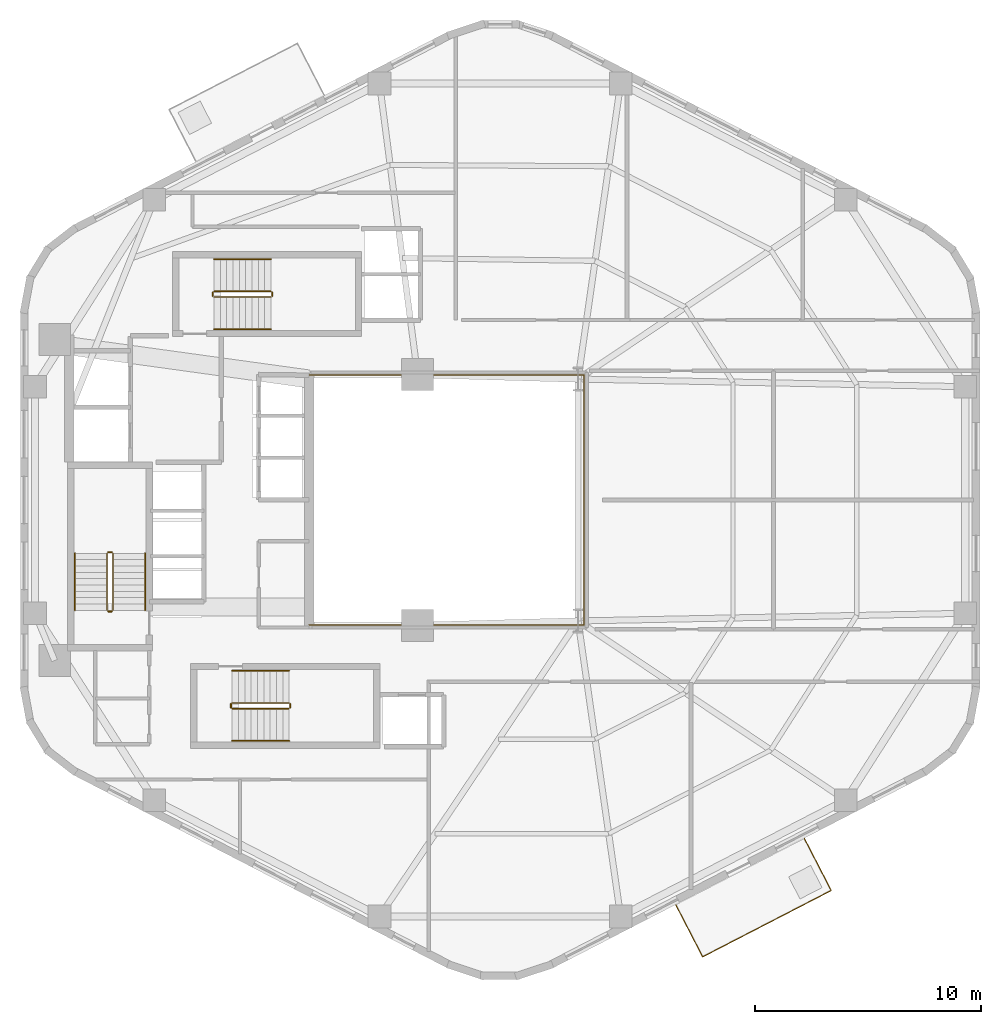
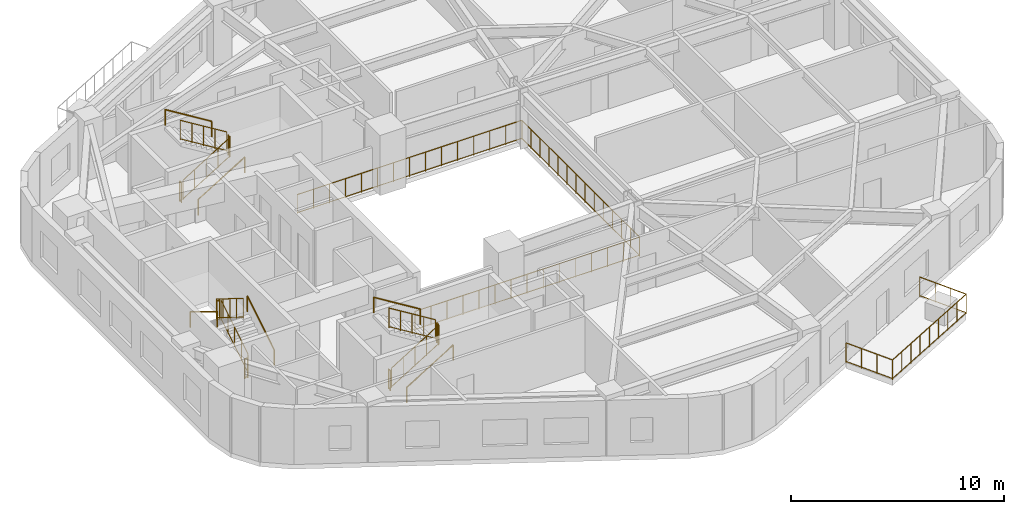
# One storey, part 7 of 8: 20 railings.
"""IFC4 building model written with IfcOpenShell, lengths in metres."""

from ifc_helpers import new_model, si_unit, direction, frame, origin, origin_2d, place, context, subcontext, project, spatial, circle, extrude, material, type_object, element, save


model = new_model("IFC4")

# Units and contexts
model_context = context("Model", 3, precision=1e-05, world=origin(), true_north=direction((0.0, 1.0)))
body_context = subcontext(model_context, "Body", "Model", "MODEL_VIEW")
ifc_project = project(units=[si_unit("LENGTHUNIT", "METRE"), si_unit("AREAUNIT", "SQUARE_METRE"), si_unit("VOLUMEUNIT", "CUBIC_METRE"), si_unit("PLANEANGLEUNIT", "RADIAN"), si_unit("MASSUNIT", "GRAM", prefix="KILO"), si_unit("THERMODYNAMICTEMPERATUREUNIT", "KELVIN"), si_unit("POWERUNIT", "WATT")], contexts=[model_context])

# Site, building, storey
site_placement = place(None, origin())
site = spatial("IfcSite", under=ifc_project, at=site_placement, CompositionType="ELEMENT")
building_placement = place(site_placement, origin())
building = spatial("IfcBuilding", under=site, at=building_placement, Name="Skarre Station Tower", CompositionType="ELEMENT")
storey_placement = place(building_placement, frame((0.0, 0.0, 153.300048828125)))
storey = spatial("IfcBuildingStorey", under=building, at=storey_placement, Name="L41", CompositionType="ELEMENT", Elevation=153.300048828125)

# Railings
ifc_material_1 = material(Name="Bronze Anodized Steel & Laminated Glass Balustrade", Category="steel")
railing_type_1 = type_object("IfcRailingType", Name="Atrium Void & Mezzanine Guard Balustrade 1120", PredefinedType="GUARDRAIL", material=ifc_material_1)
railing_1_placement = place(storey_placement, frame((27.550048828125, 18.47998046875, 0.0)))
element("IfcRailing", 1, at=railing_1_placement, inside=storey, type_object=railing_type_1, Name="L41 Atrium Void Guard Balustrade", PredefinedType="GUARDRAIL", context=body_context, shape_type="SweptSolid", body=[
    extrude(circle(Radius=0.02392578125, at=origin_2d()), frame((0.0, 0.0, 1.09619140625), z_axis=(1.0, 0.0, 0.0), x_axis=(0.0, 1.0, 0.0)), (0.0, 0.0, 1.0), 12.169921875),
    extrude(circle(Radius=0.02099609375, at=origin_2d()), frame((0.0, 0.0, 0.06005859375), z_axis=(1.0, 0.0, 0.0), x_axis=(0.0, 1.0, 0.0)), (0.0, 0.0, 1.0), 12.169921875),
    extrude(circle(Radius=0.02392578125, at=origin_2d()), frame((12.169921875, 0.0, 1.09619140625), z_axis=(0.0, 1.0, 0.0), x_axis=(-1.0, 0.0, 0.0)), (0.0, 0.0, 1.0), 11.0400390625),
    extrude(circle(Radius=0.02099609375, at=origin_2d()), frame((12.169921875, 0.0, 0.06005859375), z_axis=(0.0, 1.0, 0.0), x_axis=(-1.0, 0.0, 0.0)), (0.0, 0.0, 1.0), 11.0400390625),
    extrude(circle(Radius=0.02392578125, at=origin_2d()), frame((12.169921875, 11.0400390625, 1.09619140625), z_axis=(-1.0, 0.0, 0.0), x_axis=(0.0, -1.0, 0.0)), (0.0, 0.0, 1.0), 12.169921875),
    extrude(circle(Radius=0.02099609375, at=origin_2d()), frame((12.169921875, 11.0400390625, 0.06005859375), z_axis=(-1.0, 0.0, 0.0), x_axis=(0.0, -1.0, 0.0)), (0.0, 0.0, 1.0), 12.169921875),
    extrude(circle(Radius=0.02099609375, at=origin_2d()), origin(), (0.0, 0.0, 1.0), 1.072021484375),
    extrude(circle(Radius=0.02099609375, at=origin_2d()), frame((0.869384765625, 0.0, 0.0)), (0.0, 0.0, 1.0), 1.072021484375),
    extrude(circle(Radius=0.02099609375, at=origin_2d()), frame((1.738525390625, 0.0, 0.0)), (0.0, 0.0, 1.0), 1.072021484375),
    extrude(circle(Radius=0.02099609375, at=origin_2d()), frame((2.60791015625, 0.0, 0.0)), (0.0, 0.0, 1.0), 1.072021484375),
    extrude(circle(Radius=0.02099609375, at=origin_2d()), frame((3.47705078125, 0.0, 0.0)), (0.0, 0.0, 1.0), 1.072021484375),
    extrude(circle(Radius=0.02099609375, at=origin_2d()), frame((4.346435546875, 0.0, 0.0)), (0.0, 0.0, 1.0), 1.072021484375),
    extrude(circle(Radius=0.02099609375, at=origin_2d()), frame((5.215576171875, 0.0, 0.0)), (0.0, 0.0, 1.0), 1.072021484375),
    extrude(circle(Radius=0.02099609375, at=origin_2d()), frame((6.0849609375, 0.0, 0.0)), (0.0, 0.0, 1.0), 1.072021484375),
    extrude(circle(Radius=0.02099609375, at=origin_2d()), frame((6.954345703125, 0.0, 0.0)), (0.0, 0.0, 1.0), 1.072021484375),
    extrude(circle(Radius=0.02099609375, at=origin_2d()), frame((7.823486328125, 0.0, 0.0)), (0.0, 0.0, 1.0), 1.072021484375),
    extrude(circle(Radius=0.02099609375, at=origin_2d()), frame((8.69287109375, 0.0, 0.0)), (0.0, 0.0, 1.0), 1.072021484375),
    extrude(circle(Radius=0.02099609375, at=origin_2d()), frame((9.56201171875, 0.0, 0.0)), (0.0, 0.0, 1.0), 1.072021484375),
    extrude(circle(Radius=0.02099609375, at=origin_2d()), frame((10.431396484375, 0.0, 0.0)), (0.0, 0.0, 1.0), 1.072021484375),
    extrude(circle(Radius=0.02099609375, at=origin_2d()), frame((11.300537109375, 0.0, 0.0)), (0.0, 0.0, 1.0), 1.072021484375),
    extrude(circle(Radius=0.02099609375, at=origin_2d()), frame((12.169921875, 0.0, 0.0)), (0.0, 0.0, 1.0), 1.072021484375),
    extrude(circle(Radius=0.02099609375, at=origin_2d()), frame((12.169921875, 0.84912109375, 0.0)), (0.0, 0.0, 1.0), 1.072021484375),
    extrude(circle(Radius=0.02099609375, at=origin_2d()), frame((12.169921875, 1.698486328125, 0.0)), (0.0, 0.0, 1.0), 1.072021484375),
    extrude(circle(Radius=0.02099609375, at=origin_2d()), frame((12.169921875, 2.547607421875, 0.0)), (0.0, 0.0, 1.0), 1.072021484375),
    extrude(circle(Radius=0.02099609375, at=origin_2d()), frame((12.169921875, 3.39697265625, 0.0)), (0.0, 0.0, 1.0), 1.072021484375),
    extrude(circle(Radius=0.02099609375, at=origin_2d()), frame((12.169921875, 4.24609375, 0.0)), (0.0, 0.0, 1.0), 1.072021484375),
    extrude(circle(Radius=0.02099609375, at=origin_2d()), frame((12.169921875, 5.095458984375, 0.0)), (0.0, 0.0, 1.0), 1.072021484375),
    extrude(circle(Radius=0.02099609375, at=origin_2d()), frame((12.169921875, 5.944580078125, 0.0)), (0.0, 0.0, 1.0), 1.072021484375),
    extrude(circle(Radius=0.02099609375, at=origin_2d()), frame((12.169921875, 6.7939453125, 0.0)), (0.0, 0.0, 1.0), 1.072021484375),
    extrude(circle(Radius=0.02099609375, at=origin_2d()), frame((12.169921875, 7.64306640625, 0.0)), (0.0, 0.0, 1.0), 1.072021484375),
    extrude(circle(Radius=0.02099609375, at=origin_2d()), frame((12.169921875, 8.492431640625, 0.0)), (0.0, 0.0, 1.0), 1.072021484375),
    extrude(circle(Radius=0.02099609375, at=origin_2d()), frame((12.169921875, 9.341552734375, 0.0)), (0.0, 0.0, 1.0), 1.072021484375),
    extrude(circle(Radius=0.02099609375, at=origin_2d()), frame((12.169921875, 10.19091796875, 0.0)), (0.0, 0.0, 1.0), 1.072021484375),
    extrude(circle(Radius=0.02099609375, at=origin_2d()), frame((12.169921875, 11.0400390625, 0.0)), (0.0, 0.0, 1.0), 1.072021484375),
    extrude(circle(Radius=0.02099609375, at=origin_2d()), frame((11.300537109375, 11.0400390625, 0.0)), (0.0, 0.0, 1.0), 1.072021484375),
    extrude(circle(Radius=0.02099609375, at=origin_2d()), frame((10.431396484375, 11.0400390625, 0.0)), (0.0, 0.0, 1.0), 1.072021484375),
    extrude(circle(Radius=0.02099609375, at=origin_2d()), frame((9.56201171875, 11.0400390625, 0.0)), (0.0, 0.0, 1.0), 1.072021484375),
    extrude(circle(Radius=0.02099609375, at=origin_2d()), frame((8.69287109375, 11.0400390625, 0.0)), (0.0, 0.0, 1.0), 1.072021484375),
    extrude(circle(Radius=0.02099609375, at=origin_2d()), frame((7.823486328125, 11.0400390625, 0.0)), (0.0, 0.0, 1.0), 1.072021484375),
    extrude(circle(Radius=0.02099609375, at=origin_2d()), frame((6.954345703125, 11.0400390625, 0.0)), (0.0, 0.0, 1.0), 1.072021484375),
    extrude(circle(Radius=0.02099609375, at=origin_2d()), frame((6.0849609375, 11.0400390625, 0.0)), (0.0, 0.0, 1.0), 1.072021484375),
    extrude(circle(Radius=0.02099609375, at=origin_2d()), frame((5.215576171875, 11.0400390625, 0.0)), (0.0, 0.0, 1.0), 1.072021484375),
    extrude(circle(Radius=0.02099609375, at=origin_2d()), frame((4.346435546875, 11.0400390625, 0.0)), (0.0, 0.0, 1.0), 1.072021484375),
    extrude(circle(Radius=0.02099609375, at=origin_2d()), frame((3.47705078125, 11.0400390625, 0.0)), (0.0, 0.0, 1.0), 1.072021484375),
    extrude(circle(Radius=0.02099609375, at=origin_2d()), frame((2.60791015625, 11.0400390625, 0.0)), (0.0, 0.0, 1.0), 1.072021484375),
    extrude(circle(Radius=0.02099609375, at=origin_2d()), frame((1.738525390625, 11.0400390625, 0.0)), (0.0, 0.0, 1.0), 1.072021484375),
    extrude(circle(Radius=0.02099609375, at=origin_2d()), frame((0.869384765625, 11.0400390625, 0.0)), (0.0, 0.0, 1.0), 1.072021484375),
    extrude(circle(Radius=0.02099609375, at=origin_2d()), frame((0.0, 11.0400390625, 0.0)), (0.0, 0.0, 1.0), 1.072021484375),
])
ifc_material_2 = material(Name="Stainless Steel Grade 316L & Laminated Safety Glass", Category="steel")
railing_type_2 = type_object("IfcRailingType", Name="Laminated Glass & Stainless Terrace Guardrail 1150", PredefinedType="BALUSTRADE", material=ifc_material_2)
railing_2_placement = place(storey_placement, frame((43.77001953125, 6.097900390625, 0.0)))
element("IfcRailing", 2, at=railing_2_placement, inside=storey, type_object=railing_type_2, Name="L41 TB-L41-F4 Tree-Balcony Guardrail", PredefinedType="BALUSTRADE", context=body_context, shape_type="SweptSolid", body=[
    extrude(circle(Radius=0.02392578125, at=origin_2d()), frame((0.0, 0.0, 1.1259765625), z_axis=(0.458791817331, -0.888543790902, 0.0), x_axis=(0.888543790902, 0.458791817331, 0.0)), (0.0, 0.0, 1.0), 2.58935546875),
    extrude(circle(Radius=0.02099609375, at=origin_2d()), frame((0.0, 0.0, 0.06005859375), z_axis=(0.458791817331, -0.888543790902, 0.0), x_axis=(0.888543790902, 0.458791817331, 0.0)), (0.0, 0.0, 1.0), 2.58935546875),
    extrude(circle(Radius=0.02392578125, at=origin_2d()), frame((1.18798828125, -2.30078125, 1.1259765625), z_axis=(0.888647237743, 0.458591416026, 0.0), x_axis=(-0.458591416026, 0.888647237743, 0.0)), (0.0, 0.0, 1.0), 6.399658203125),
    extrude(circle(Radius=0.02099609375, at=origin_2d()), frame((1.18798828125, -2.30078125, 0.06005859375), z_axis=(0.888647237743, 0.458591416026, 0.0), x_axis=(-0.458591416026, 0.888647237743, 0.0)), (0.0, 0.0, 1.0), 6.399658203125),
    extrude(circle(Radius=0.02392578125, at=origin_2d()), frame((6.875, 0.634033203125, 1.1259765625), z_axis=(-0.458599707136, 0.888642959019, 0.0), x_axis=(-0.888642959019, -0.458599707136, 0.0)), (0.0, 0.0, 1.0), 2.590576171875),
    extrude(circle(Radius=0.02099609375, at=origin_2d()), frame((6.875, 0.634033203125, 0.06005859375), z_axis=(-0.458599707136, 0.888642959019, 0.0), x_axis=(-0.888642959019, -0.458599707136, 0.0)), (0.0, 0.0, 1.0), 2.590576171875),
    extrude(circle(Radius=0.02099609375, at=origin_2d()), origin(), (0.0, 0.0, 1.0), 1.101806640625),
    extrude(circle(Radius=0.02099609375, at=origin_2d()), frame((0.39599609375, -0.766845703125, 0.0)), (0.0, 0.0, 1.0), 1.101806640625),
    extrude(circle(Radius=0.02099609375, at=origin_2d()), frame((0.7919921875, -1.533935546875, 0.0)), (0.0, 0.0, 1.0), 1.101806640625),
    extrude(circle(Radius=0.02099609375, at=origin_2d()), frame((1.18798828125, -2.30078125, 0.0)), (0.0, 0.0, 1.0), 1.101806640625),
    extrude(circle(Radius=0.02099609375, at=origin_2d()), frame((1.89892578125, -1.933837890625, 0.0)), (0.0, 0.0, 1.0), 1.101806640625),
    extrude(circle(Radius=0.02099609375, at=origin_2d()), frame((2.60986328125, -1.567138671875, 0.0)), (0.0, 0.0, 1.0), 1.101806640625),
    extrude(circle(Radius=0.02099609375, at=origin_2d()), frame((3.320556640625, -1.2001953125, 0.0)), (0.0, 0.0, 1.0), 1.101806640625),
    extrude(circle(Radius=0.02099609375, at=origin_2d()), frame((4.031494140625, -0.83349609375, 0.0)), (0.0, 0.0, 1.0), 1.101806640625),
    extrude(circle(Radius=0.02099609375, at=origin_2d()), frame((4.742431640625, -0.466552734375, 0.0)), (0.0, 0.0, 1.0), 1.101806640625),
    extrude(circle(Radius=0.02099609375, at=origin_2d()), frame((5.453125, -0.099609375, 0.0)), (0.0, 0.0, 1.0), 1.101806640625),
    extrude(circle(Radius=0.02099609375, at=origin_2d()), frame((6.1640625, 0.26708984375, 0.0)), (0.0, 0.0, 1.0), 1.101806640625),
    extrude(circle(Radius=0.02099609375, at=origin_2d()), frame((6.875, 0.634033203125, 0.0)), (0.0, 0.0, 1.0), 1.101806640625),
    extrude(circle(Radius=0.02099609375, at=origin_2d()), frame((6.47900390625, 1.4013671875, 0.0)), (0.0, 0.0, 1.0), 1.101806640625),
    extrude(circle(Radius=0.02099609375, at=origin_2d()), frame((6.0830078125, 2.168701171875, 0.0)), (0.0, 0.0, 1.0), 1.101806640625),
    extrude(circle(Radius=0.02099609375, at=origin_2d()), frame((5.68701171875, 2.93603515625, 0.0)), (0.0, 0.0, 1.0), 1.101806640625),
])
ifc_material_3 = material(Name="Powder-Coated Tubular Steel", Category="steel")
railing_type_3 = type_object("IfcRailingType", Name="Painted Steel Ramp & Stair Handrail 920", PredefinedType="HANDRAIL", material=ifc_material_3)
railing_3_placement = place(storey_placement, frame((20.300048828125, 19.1201171875, 0.17236328125)))
element("IfcRailing", 3, at=railing_3_placement, inside=storey, type_object=railing_type_3, Name="L41 ST-1 stair handrail 1", PredefinedType="HANDRAIL", context=body_context, shape_type="SweptSolid", body=[
    extrude(circle(Radius=0.02392578125, at=origin_2d()), frame((0.0, 0.0, 0.8759765625), z_axis=(0.0, 0.851377800117, 0.52455299205), x_axis=(-1.0, 0.0, 0.0)), (0.0, 0.0, 1.0), 2.959716796875),
    extrude(circle(Radius=0.02099609375, at=origin_2d()), origin(), (0.0, 0.0, 1.0), 0.851806640625),
    extrude(circle(Radius=0.02099609375, at=origin_2d()), frame((0.0, 2.519775390625, 1.552490234375)), (0.0, 0.0, 1.0), 0.851806640625),
])
railing_4_placement = place(storey_placement, frame((17.199951171875, 21.639892578125, 1.8974609375)))
element("IfcRailing", 4, at=railing_4_placement, inside=storey, type_object=railing_type_3, Name="L41 ST-1 stair handrail 2", PredefinedType="HANDRAIL", context=body_context, shape_type="SweptSolid", body=[
    extrude(circle(Radius=0.02392578125, at=origin_2d()), frame((0.0, 0.0, 0.8759765625), z_axis=(0.0, -0.851377800117, 0.52455299205), x_axis=(1.0, 0.0, 0.0)), (0.0, 0.0, 1.0), 2.959716796875),
    extrude(circle(Radius=0.02099609375, at=origin_2d()), origin(), (0.0, 0.0, 1.0), 0.851806640625),
    extrude(circle(Radius=0.02099609375, at=origin_2d()), frame((0.0, -2.519775390625, 1.552490234375)), (0.0, 0.0, 1.0), 0.851806640625),
])
railing_5_placement = place(storey_placement, frame((24.14990234375, 13.35009765625, 0.17236328125)))
element("IfcRailing", 5, at=railing_5_placement, inside=storey, type_object=railing_type_3, Name="L41 ST-2 stair handrail 1", PredefinedType="HANDRAIL", context=body_context, shape_type="SweptSolid", body=[
    extrude(circle(Radius=0.02392578125, at=origin_2d()), frame((0.0, 0.0, 0.8759765625), z_axis=(0.851400495292, 0.0, 0.524516154772), x_axis=(0.0, 1.0, 0.0)), (0.0, 0.0, 1.0), 2.9599609375),
    extrude(circle(Radius=0.02099609375, at=origin_2d()), origin(), (0.0, 0.0, 1.0), 0.851806640625),
    extrude(circle(Radius=0.02099609375, at=origin_2d()), frame((2.52001953125, 0.0, 1.552490234375)), (0.0, 0.0, 1.0), 0.851806640625),
])
railing_6_placement = place(storey_placement, frame((26.669921875, 16.449951171875, 1.8974609375)))
element("IfcRailing", 6, at=railing_6_placement, inside=storey, type_object=railing_type_3, Name="L41 ST-2 stair handrail 2", PredefinedType="HANDRAIL", context=body_context, shape_type="SweptSolid", body=[
    extrude(circle(Radius=0.02392578125, at=origin_2d()), frame((0.0, 0.0, 0.8759765625), z_axis=(-0.851400495292, 0.0, 0.524516154772), x_axis=(0.0, -1.0, 0.0)), (0.0, 0.0, 1.0), 2.9599609375),
    extrude(circle(Radius=0.02099609375, at=origin_2d()), origin(), (0.0, 0.0, 1.0), 0.851806640625),
    extrude(circle(Radius=0.02099609375, at=origin_2d()), frame((-2.52001953125, 0.0, 1.552490234375)), (0.0, 0.0, 1.0), 0.851806640625),
])
railing_7_placement = place(storey_placement, frame((23.35009765625, 31.550048828125, 0.17236328125)))
element("IfcRailing", 7, at=railing_7_placement, inside=storey, type_object=railing_type_3, Name="L41 ST-3 stair handrail 1", PredefinedType="HANDRAIL", context=body_context, shape_type="SweptSolid", body=[
    extrude(circle(Radius=0.02392578125, at=origin_2d()), frame((0.0, 0.0, 0.8759765625), z_axis=(0.851400495292, 0.0, 0.524516154772), x_axis=(0.0, 1.0, 0.0)), (0.0, 0.0, 1.0), 2.9599609375),
    extrude(circle(Radius=0.02099609375, at=origin_2d()), origin(), (0.0, 0.0, 1.0), 0.851806640625),
    extrude(circle(Radius=0.02099609375, at=origin_2d()), frame((2.52001953125, 0.0, 1.552490234375)), (0.0, 0.0, 1.0), 0.851806640625),
])
railing_8_placement = place(storey_placement, frame((25.8701171875, 34.64990234375, 1.8974609375)))
element("IfcRailing", 8, at=railing_8_placement, inside=storey, type_object=railing_type_3, Name="L41 ST-3 stair handrail 2", PredefinedType="HANDRAIL", context=body_context, shape_type="SweptSolid", body=[
    extrude(circle(Radius=0.02392578125, at=origin_2d()), frame((0.0, 0.0, 0.8759765625), z_axis=(-0.851400495292, 0.0, 0.524516154772), x_axis=(0.0, -1.0, 0.0)), (0.0, 0.0, 1.0), 2.9599609375),
    extrude(circle(Radius=0.02099609375, at=origin_2d()), origin(), (0.0, 0.0, 1.0), 0.851806640625),
    extrude(circle(Radius=0.02099609375, at=origin_2d()), frame((-2.52001953125, 0.0, 1.552490234375)), (0.0, 0.0, 1.0), 0.851806640625),
])
railing_type_4 = type_object("IfcRailingType", Name="Painted Steel Stairwell Guardrail 1100", PredefinedType="GUARDRAIL", material=ifc_material_3)
railing_9_placement = place(storey_placement, frame((18.8798828125, 19.1201171875, 0.17236328125)))
element("IfcRailing", 9, at=railing_9_placement, inside=storey, type_object=railing_type_4, Name="L41 ST-1 stair guard 1", PredefinedType="GUARDRAIL", context=body_context, shape_type="SweptSolid", body=[
    extrude(circle(Radius=0.02392578125, at=origin_2d()), frame((0.0, 0.0, 1.1259765625), z_axis=(0.0, 0.851377800117, 0.52455299205), x_axis=(-1.0, 0.0, 0.0)), (0.0, 0.0, 1.0), 2.959716796875),
    extrude(circle(Radius=0.02099609375, at=origin_2d()), frame((0.0, 0.0, 0.06005859375), z_axis=(0.0, 0.851377800117, 0.52455299205), x_axis=(-1.0, 0.0, 0.0)), (0.0, 0.0, 1.0), 2.959716796875),
    extrude(circle(Radius=0.02099609375, at=origin_2d()), origin(), (0.0, 0.0, 1.0), 1.101806640625),
    extrude(circle(Radius=0.02099609375, at=origin_2d()), frame((0.0, 0.6298828125, 0.38818359375)), (0.0, 0.0, 1.0), 1.101806640625),
    extrude(circle(Radius=0.02099609375, at=origin_2d()), frame((0.0, 1.259765625, 0.7763671875)), (0.0, 0.0, 1.0), 1.101806640625),
    extrude(circle(Radius=0.02099609375, at=origin_2d()), frame((0.0, 1.889892578125, 1.164306640625)), (0.0, 0.0, 1.0), 1.101806640625),
    extrude(circle(Radius=0.02099609375, at=origin_2d()), frame((0.0, 2.519775390625, 1.552490234375)), (0.0, 0.0, 1.0), 1.101806640625),
])
railing_10_placement = place(storey_placement, frame((18.830078125, 21.68994140625, 1.724853515625)))
element("IfcRailing", 10, at=railing_10_placement, inside=storey, type_object=railing_type_4, Name="L41 ST-1 stair guard 2", PredefinedType="GUARDRAIL", context=body_context, shape_type="SweptSolid", body=[
    extrude(circle(Radius=0.02392578125, at=origin_2d()), frame((0.0, 0.0, 1.1259765625), z_axis=(-1.0, 0.0, 0.0), x_axis=(0.0, -1.0, 0.0)), (0.0, 0.0, 1.0), 0.16015625),
    extrude(circle(Radius=0.02099609375, at=origin_2d()), frame((0.0, 0.0, 0.06005859375), z_axis=(-1.0, 0.0, 0.0), x_axis=(0.0, -1.0, 0.0)), (0.0, 0.0, 1.0), 0.16015625),
    extrude(circle(Radius=0.02099609375, at=origin_2d()), origin(), (0.0, 0.0, 1.0), 1.101806640625),
    extrude(circle(Radius=0.02099609375, at=origin_2d()), frame((-0.16015625, 0.0, 0.0)), (0.0, 0.0, 1.0), 1.101806640625),
])
railing_11_placement = place(storey_placement, frame((18.6201171875, 21.639892578125, 1.8974609375)))
element("IfcRailing", 11, at=railing_11_placement, inside=storey, type_object=railing_type_4, Name="L41 ST-1 stair guard 3", PredefinedType="GUARDRAIL", context=body_context, shape_type="SweptSolid", body=[
    extrude(circle(Radius=0.02392578125, at=origin_2d()), frame((0.0, 0.0, 1.1259765625), z_axis=(0.0, -0.851377800117, 0.52455299205), x_axis=(1.0, 0.0, 0.0)), (0.0, 0.0, 1.0), 2.959716796875),
    extrude(circle(Radius=0.02099609375, at=origin_2d()), frame((0.0, 0.0, 0.06005859375), z_axis=(0.0, -0.851377800117, 0.52455299205), x_axis=(1.0, 0.0, 0.0)), (0.0, 0.0, 1.0), 2.959716796875),
    extrude(circle(Radius=0.02099609375, at=origin_2d()), origin(), (0.0, 0.0, 1.0), 1.101806640625),
    extrude(circle(Radius=0.02099609375, at=origin_2d()), frame((0.0, -0.6298828125, 0.38818359375)), (0.0, 0.0, 1.0), 1.101806640625),
    extrude(circle(Radius=0.02099609375, at=origin_2d()), frame((0.0, -1.259765625, 0.7763671875)), (0.0, 0.0, 1.0), 1.101806640625),
    extrude(circle(Radius=0.02099609375, at=origin_2d()), frame((0.0, -1.889892578125, 1.164306640625)), (0.0, 0.0, 1.0), 1.101806640625),
    extrude(circle(Radius=0.02099609375, at=origin_2d()), frame((0.0, -2.519775390625, 1.552490234375)), (0.0, 0.0, 1.0), 1.101806640625),
])
railing_12_placement = place(storey_placement, frame((18.830078125, 19.070068359375, 0.0)))
element("IfcRailing", 12, at=railing_12_placement, inside=storey, type_object=railing_type_4, Name="L41 ST-1 stair guard 4", PredefinedType="GUARDRAIL", context=body_context, shape_type="SweptSolid", body=[
    extrude(circle(Radius=0.02392578125, at=origin_2d()), frame((0.0, 0.0, 1.1259765625), z_axis=(-1.0, 0.0, 0.0), x_axis=(0.0, -1.0, 0.0)), (0.0, 0.0, 1.0), 0.16015625),
    extrude(circle(Radius=0.02099609375, at=origin_2d()), frame((0.0, 0.0, 0.06005859375), z_axis=(-1.0, 0.0, 0.0), x_axis=(0.0, -1.0, 0.0)), (0.0, 0.0, 1.0), 0.16015625),
    extrude(circle(Radius=0.02099609375, at=origin_2d()), origin(), (0.0, 0.0, 1.0), 1.101806640625),
    extrude(circle(Radius=0.02099609375, at=origin_2d()), frame((-0.16015625, 0.0, 0.0)), (0.0, 0.0, 1.0), 1.101806640625),
])
railing_13_placement = place(storey_placement, frame((24.14990234375, 14.77001953125, 0.17236328125)))
element("IfcRailing", 13, at=railing_13_placement, inside=storey, type_object=railing_type_4, Name="L41 ST-2 stair guard 1", PredefinedType="GUARDRAIL", context=body_context, shape_type="SweptSolid", body=[
    extrude(circle(Radius=0.02392578125, at=origin_2d()), frame((0.0, 0.0, 1.1259765625), z_axis=(0.851400495292, 0.0, 0.524516154772), x_axis=(0.0, 1.0, 0.0)), (0.0, 0.0, 1.0), 2.9599609375),
    extrude(circle(Radius=0.02099609375, at=origin_2d()), frame((0.0, 0.0, 0.06005859375), z_axis=(0.851400495292, 0.0, 0.524516154772), x_axis=(0.0, 1.0, 0.0)), (0.0, 0.0, 1.0), 2.9599609375),
    extrude(circle(Radius=0.02099609375, at=origin_2d()), origin(), (0.0, 0.0, 1.0), 1.101806640625),
    extrude(circle(Radius=0.02099609375, at=origin_2d()), frame((0.6298828125, 0.0, 0.38818359375)), (0.0, 0.0, 1.0), 1.101806640625),
    extrude(circle(Radius=0.02099609375, at=origin_2d()), frame((1.260009765625, 0.0, 0.7763671875)), (0.0, 0.0, 1.0), 1.101806640625),
    extrude(circle(Radius=0.02099609375, at=origin_2d()), frame((1.89013671875, 0.0, 1.164306640625)), (0.0, 0.0, 1.0), 1.101806640625),
    extrude(circle(Radius=0.02099609375, at=origin_2d()), frame((2.52001953125, 0.0, 1.552490234375)), (0.0, 0.0, 1.0), 1.101806640625),
])
railing_14_placement = place(storey_placement, frame((26.719970703125, 14.820068359375, 1.724853515625)))
element("IfcRailing", 14, at=railing_14_placement, inside=storey, type_object=railing_type_4, Name="L41 ST-2 stair guard 2", PredefinedType="GUARDRAIL", context=body_context, shape_type="SweptSolid", body=[
    extrude(circle(Radius=0.02392578125, at=origin_2d()), frame((0.0, 0.0, 1.1259765625), z_axis=(0.0, 1.0, 0.0), x_axis=(-1.0, 0.0, 0.0)), (0.0, 0.0, 1.0), 0.159912109375),
    extrude(circle(Radius=0.02099609375, at=origin_2d()), frame((0.0, 0.0, 0.06005859375), z_axis=(0.0, 1.0, 0.0), x_axis=(-1.0, 0.0, 0.0)), (0.0, 0.0, 1.0), 0.159912109375),
    extrude(circle(Radius=0.02099609375, at=origin_2d()), origin(), (0.0, 0.0, 1.0), 1.101806640625),
    extrude(circle(Radius=0.02099609375, at=origin_2d()), frame((0.0, 0.159912109375, 0.0)), (0.0, 0.0, 1.0), 1.101806640625),
])
railing_15_placement = place(storey_placement, frame((26.669921875, 15.030029296875, 1.8974609375)))
element("IfcRailing", 15, at=railing_15_placement, inside=storey, type_object=railing_type_4, Name="L41 ST-2 stair guard 3", PredefinedType="GUARDRAIL", context=body_context, shape_type="SweptSolid", body=[
    extrude(circle(Radius=0.02392578125, at=origin_2d()), frame((0.0, 0.0, 1.1259765625), z_axis=(-0.851400495292, 0.0, 0.524516154772), x_axis=(0.0, -1.0, 0.0)), (0.0, 0.0, 1.0), 2.9599609375),
    extrude(circle(Radius=0.02099609375, at=origin_2d()), frame((0.0, 0.0, 0.06005859375), z_axis=(-0.851400495292, 0.0, 0.524516154772), x_axis=(0.0, -1.0, 0.0)), (0.0, 0.0, 1.0), 2.9599609375),
    extrude(circle(Radius=0.02099609375, at=origin_2d()), origin(), (0.0, 0.0, 1.0), 1.101806640625),
    extrude(circle(Radius=0.02099609375, at=origin_2d()), frame((-0.6298828125, 0.0, 0.38818359375)), (0.0, 0.0, 1.0), 1.101806640625),
    extrude(circle(Radius=0.02099609375, at=origin_2d()), frame((-1.260009765625, 0.0, 0.7763671875)), (0.0, 0.0, 1.0), 1.101806640625),
    extrude(circle(Radius=0.02099609375, at=origin_2d()), frame((-1.89013671875, 0.0, 1.164306640625)), (0.0, 0.0, 1.0), 1.101806640625),
    extrude(circle(Radius=0.02099609375, at=origin_2d()), frame((-2.52001953125, 0.0, 1.552490234375)), (0.0, 0.0, 1.0), 1.101806640625),
])
railing_16_placement = place(storey_placement, frame((24.10009765625, 14.820068359375, 0.0)))
element("IfcRailing", 16, at=railing_16_placement, inside=storey, type_object=railing_type_4, Name="L41 ST-2 stair guard 4", PredefinedType="GUARDRAIL", context=body_context, shape_type="SweptSolid", body=[
    extrude(circle(Radius=0.02392578125, at=origin_2d()), frame((0.0, 0.0, 1.1259765625), z_axis=(0.0, 1.0, 0.0), x_axis=(-1.0, 0.0, 0.0)), (0.0, 0.0, 1.0), 0.159912109375),
    extrude(circle(Radius=0.02099609375, at=origin_2d()), frame((0.0, 0.0, 0.06005859375), z_axis=(0.0, 1.0, 0.0), x_axis=(-1.0, 0.0, 0.0)), (0.0, 0.0, 1.0), 0.159912109375),
    extrude(circle(Radius=0.02099609375, at=origin_2d()), origin(), (0.0, 0.0, 1.0), 1.101806640625),
    extrude(circle(Radius=0.02099609375, at=origin_2d()), frame((0.0, 0.159912109375, 0.0)), (0.0, 0.0, 1.0), 1.101806640625),
])
railing_17_placement = place(storey_placement, frame((23.35009765625, 32.969970703125, 0.17236328125)))
element("IfcRailing", 17, at=railing_17_placement, inside=storey, type_object=railing_type_4, Name="L41 ST-3 stair guard 1", PredefinedType="GUARDRAIL", context=body_context, shape_type="SweptSolid", body=[
    extrude(circle(Radius=0.02392578125, at=origin_2d()), frame((0.0, 0.0, 1.1259765625), z_axis=(0.851400495292, 0.0, 0.524516154772), x_axis=(0.0, 1.0, 0.0)), (0.0, 0.0, 1.0), 2.9599609375),
    extrude(circle(Radius=0.02099609375, at=origin_2d()), frame((0.0, 0.0, 0.06005859375), z_axis=(0.851400495292, 0.0, 0.524516154772), x_axis=(0.0, 1.0, 0.0)), (0.0, 0.0, 1.0), 2.9599609375),
    extrude(circle(Radius=0.02099609375, at=origin_2d()), origin(), (0.0, 0.0, 1.0), 1.101806640625),
    extrude(circle(Radius=0.02099609375, at=origin_2d()), frame((0.6298828125, 0.0, 0.38818359375)), (0.0, 0.0, 1.0), 1.101806640625),
    extrude(circle(Radius=0.02099609375, at=origin_2d()), frame((1.260009765625, 0.0, 0.7763671875)), (0.0, 0.0, 1.0), 1.101806640625),
    extrude(circle(Radius=0.02099609375, at=origin_2d()), frame((1.89013671875, 0.0, 1.164306640625)), (0.0, 0.0, 1.0), 1.101806640625),
    extrude(circle(Radius=0.02099609375, at=origin_2d()), frame((2.52001953125, 0.0, 1.552490234375)), (0.0, 0.0, 1.0), 1.101806640625),
])
railing_18_placement = place(storey_placement, frame((25.919921875, 33.02001953125, 1.724853515625)))
element("IfcRailing", 18, at=railing_18_placement, inside=storey, type_object=railing_type_4, Name="L41 ST-3 stair guard 2", PredefinedType="GUARDRAIL", context=body_context, shape_type="SweptSolid", body=[
    extrude(circle(Radius=0.02392578125, at=origin_2d()), frame((0.0, 0.0, 1.1259765625), z_axis=(0.0, 1.0, 0.0), x_axis=(-1.0, 0.0, 0.0)), (0.0, 0.0, 1.0), 0.159912109375),
    extrude(circle(Radius=0.02099609375, at=origin_2d()), frame((0.0, 0.0, 0.06005859375), z_axis=(0.0, 1.0, 0.0), x_axis=(-1.0, 0.0, 0.0)), (0.0, 0.0, 1.0), 0.159912109375),
    extrude(circle(Radius=0.02099609375, at=origin_2d()), origin(), (0.0, 0.0, 1.0), 1.101806640625),
    extrude(circle(Radius=0.02099609375, at=origin_2d()), frame((0.0, 0.159912109375, 0.0)), (0.0, 0.0, 1.0), 1.101806640625),
])
railing_19_placement = place(storey_placement, frame((25.8701171875, 33.22998046875, 1.8974609375)))
element("IfcRailing", 19, at=railing_19_placement, inside=storey, type_object=railing_type_4, Name="L41 ST-3 stair guard 3", PredefinedType="GUARDRAIL", context=body_context, shape_type="SweptSolid", body=[
    extrude(circle(Radius=0.02392578125, at=origin_2d()), frame((0.0, 0.0, 1.1259765625), z_axis=(-0.851400495292, 0.0, 0.524516154772), x_axis=(0.0, -1.0, 0.0)), (0.0, 0.0, 1.0), 2.9599609375),
    extrude(circle(Radius=0.02099609375, at=origin_2d()), frame((0.0, 0.0, 0.06005859375), z_axis=(-0.851400495292, 0.0, 0.524516154772), x_axis=(0.0, -1.0, 0.0)), (0.0, 0.0, 1.0), 2.9599609375),
    extrude(circle(Radius=0.02099609375, at=origin_2d()), origin(), (0.0, 0.0, 1.0), 1.101806640625),
    extrude(circle(Radius=0.02099609375, at=origin_2d()), frame((-0.6298828125, 0.0, 0.38818359375)), (0.0, 0.0, 1.0), 1.101806640625),
    extrude(circle(Radius=0.02099609375, at=origin_2d()), frame((-1.260009765625, 0.0, 0.7763671875)), (0.0, 0.0, 1.0), 1.101806640625),
    extrude(circle(Radius=0.02099609375, at=origin_2d()), frame((-1.89013671875, 0.0, 1.164306640625)), (0.0, 0.0, 1.0), 1.101806640625),
    extrude(circle(Radius=0.02099609375, at=origin_2d()), frame((-2.52001953125, 0.0, 1.552490234375)), (0.0, 0.0, 1.0), 1.101806640625),
])
railing_20_placement = place(storey_placement, frame((23.300048828125, 33.02001953125, 0.0)))
element("IfcRailing", 20, at=railing_20_placement, inside=storey, type_object=railing_type_4, Name="L41 ST-3 stair guard 4", PredefinedType="GUARDRAIL", context=body_context, shape_type="SweptSolid", body=[
    extrude(circle(Radius=0.02392578125, at=origin_2d()), frame((0.0, 0.0, 1.1259765625), z_axis=(0.0, 1.0, 0.0), x_axis=(-1.0, 0.0, 0.0)), (0.0, 0.0, 1.0), 0.159912109375),
    extrude(circle(Radius=0.02099609375, at=origin_2d()), frame((0.0, 0.0, 0.06005859375), z_axis=(0.0, 1.0, 0.0), x_axis=(-1.0, 0.0, 0.0)), (0.0, 0.0, 1.0), 0.159912109375),
    extrude(circle(Radius=0.02099609375, at=origin_2d()), origin(), (0.0, 0.0, 1.0), 1.101806640625),
    extrude(circle(Radius=0.02099609375, at=origin_2d()), frame((0.0, 0.159912109375, 0.0)), (0.0, 0.0, 1.0), 1.101806640625),
])

save(model, "model.ifc")
